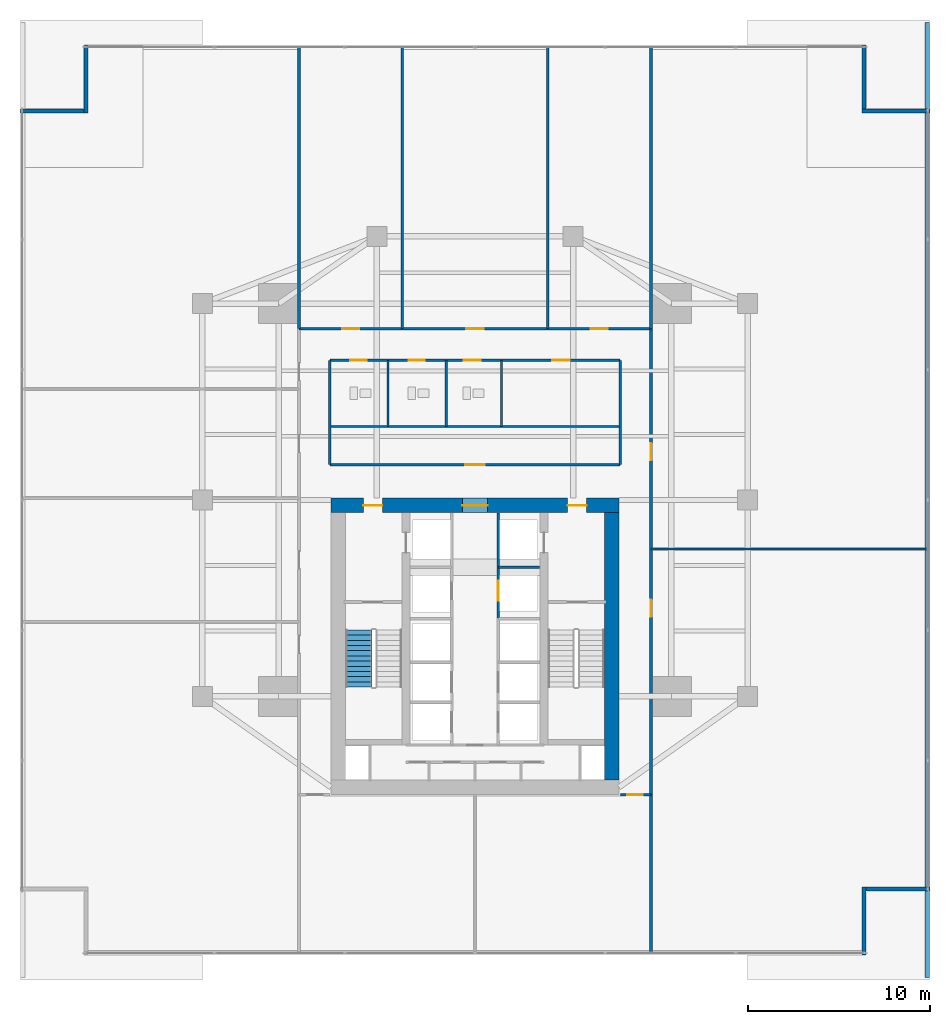
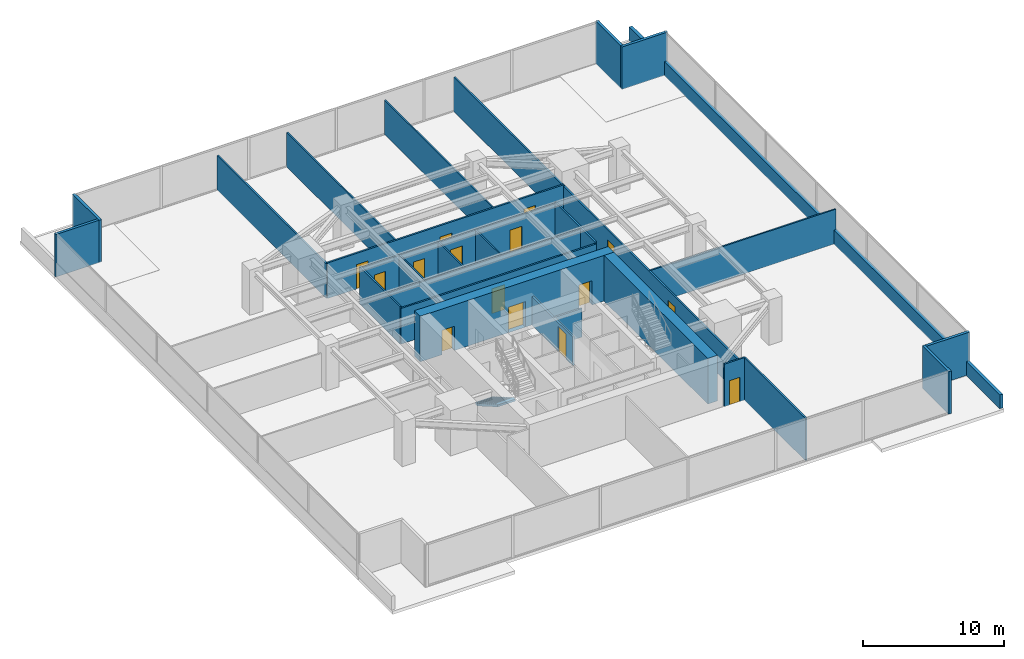
# One storey, part 26 of 30: 28 walls, 15 doors, 1 stair flight, 15 openings, 1 element without a shape of its own.
"""IFC4 building model written with IfcOpenShell, lengths in metres."""

from ifc_helpers import new_model, si_unit, direction, frame, frame_2d, origin, place, context, subcontext, project, spatial, polyline, rectangle, outline, extrude, material, layer, layer_set, type_object, element, fill, aggregate, save


model = new_model("IFC4")

# Units and contexts
model_context = context("Model", 3, precision=1e-05, world=origin(), true_north=direction((0.0, 1.0)))
body_context = subcontext(model_context, "Body", "Model", "MODEL_VIEW")
ifc_project = project(units=[si_unit("LENGTHUNIT", "METRE"), si_unit("AREAUNIT", "SQUARE_METRE"), si_unit("VOLUMEUNIT", "CUBIC_METRE"), si_unit("PLANEANGLEUNIT", "RADIAN"), si_unit("MASSUNIT", "GRAM", prefix="KILO")], contexts=[model_context])

# Site, building, storey
site_placement = place(None, origin())
site = spatial("IfcSite", under=ifc_project, at=site_placement, CompositionType="ELEMENT")
building_placement = place(site_placement, origin())
building = spatial("IfcBuilding", under=site, at=building_placement, Name="Krantzveldt Concourse Tower", CompositionType="ELEMENT")
storey_placement = place(building_placement, frame((0.0, 0.0, 25.0)))
storey = spatial("IfcBuildingStorey", under=building, at=storey_placement, Name="L05", CompositionType="ELEMENT", Elevation=25.0)

# Walls
ifc_material_1 = material(Name="Anodised aluminium 6063-T6", Category="aluminium")
ifc_layer_1 = layer(ifc_material_1, 0.219970703125, Name="Anodised aluminium 6063-T6", Category="aluminium")
ifc_layer_set_1 = layer_set([ifc_layer_1], Name="Anodised aluminium 6063-T6 (WL-EXT-NOTCH220)")
wall_type_1 = type_object("IfcWallType", Name="WL-EXT-NOTCH220", PredefinedType="ELEMENTEDWALL", material=ifc_layer_set_1)
wall_1_placement = place(storey_placement, frame((14.5, 48.090087890625, 0.0), z_axis=(0.0, 0.0, 1.0), x_axis=(-1.0, 0.0, 0.0)))
element("IfcWall", 1, at=wall_1_placement, inside=storey, type_object=wall_type_1, Name="EW-L05-NCH00", PredefinedType="ELEMENTEDWALL", context=body_context, shape_type="SweptSolid", body=[
    extrude(rectangle(XDim=3.52490234375, YDim=0.219970703125, at=frame_2d((1.762451171875, 0.0))), origin(), (0.0, 0.0, 1.0), 3.669921875),
])
wall_2_placement = place(storey_placement, frame((57.389892578125, 1.675048828125, 0.0), z_axis=(0.0, 0.0, 1.0), x_axis=(0.0, 1.0, 0.0)))
element("IfcWall", 2, at=wall_2_placement, inside=storey, type_object=wall_type_1, Name="EW-L05-NCH05", PredefinedType="ELEMENTEDWALL", context=body_context, shape_type="SweptSolid", body=[
    extrude(rectangle(XDim=3.744873046875, YDim=0.219970703125, at=frame_2d((1.87255859375, 0.0))), origin(), (0.0, 0.0, 1.0), 3.669921875),
])
wall_3_placement = place(storey_placement, frame((57.5, 5.31005859375, 0.0), z_axis=(0.0, 0.0, 1.0), x_axis=(1.0, 0.0, 0.0)))
element("IfcWall", 3, at=wall_3_placement, inside=storey, type_object=wall_type_1, Name="EW-L05-NCH06", PredefinedType="ELEMENTEDWALL", context=body_context, shape_type="SweptSolid", body=[
    extrude(rectangle(XDim=3.52490234375, YDim=0.219970703125, at=frame_2d((1.762451171875, 0.0))), origin(), (0.0, 0.0, 1.0), 3.669921875),
])
wall_4_placement = place(storey_placement, frame((61.02490234375, 48.090087890625, 0.0), z_axis=(0.0, 0.0, 1.0), x_axis=(-1.0, 0.0, 0.0)))
element("IfcWall", 4, at=wall_4_placement, inside=storey, type_object=wall_type_1, Name="EW-L05-NCH08", PredefinedType="ELEMENTEDWALL", context=body_context, shape_type="SweptSolid", body=[
    extrude(rectangle(XDim=3.744873046875, YDim=0.219970703125, at=frame_2d((1.87255859375, 0.0))), origin(), (0.0, 0.0, 1.0), 3.669921875),
])
wall_5_placement = place(storey_placement, frame((57.389892578125, 48.199951171875, 0.0), z_axis=(0.0, 0.0, 1.0), x_axis=(0.0, 1.0, 0.0)))
element("IfcWall", 5, at=wall_5_placement, inside=storey, type_object=wall_type_1, Name="EW-L05-NCH09", PredefinedType="ELEMENTEDWALL", context=body_context, shape_type="SweptSolid", body=[
    extrude(rectangle(XDim=3.525146484375, YDim=0.219970703125, at=frame_2d((1.7626953125, 0.0))), origin(), (0.0, 0.0, 1.0), 3.669921875),
])
wall_6_placement = place(storey_placement, frame((14.610107421875, 51.72509765625, 0.0), z_axis=(0.0, 0.0, 1.0), x_axis=(0.0, -1.0, 0.0)))
element("IfcWall", 6, at=wall_6_placement, inside=storey, type_object=wall_type_1, Name="EW-L05-NCH11", PredefinedType="ELEMENTEDWALL", context=body_context, shape_type="SweptSolid", body=[
    extrude(rectangle(XDim=3.7451171875, YDim=0.219970703125, at=frame_2d((1.87255859375, 0.0))), origin(), (0.0, 0.0, 1.0), 3.669921875),
])
ifc_material_2 = material(Name="Precast concrete C40/50", Category="concrete")
ifc_layer_2 = layer(ifc_material_2, 0.25, Name="Precast concrete C40/50", Category="concrete")
ifc_layer_set_2 = layer_set([ifc_layer_2], Name="Precast concrete C40/50 (WL-PARAPET-250)")
wall_type_2 = type_object("IfcWallType", Name="WL-PARAPET-250", PredefinedType="PARAPET", material=ifc_layer_set_2)
wall_7_placement = place(storey_placement, frame((60.8701171875, 0.449951171875, 0.0), z_axis=(0.0, 0.0, 1.0), x_axis=(0.0, 1.0, 0.0)))
element("IfcWall", 7, at=wall_7_placement, inside=storey, type_object=wall_type_2, Name="WL-L05-PAR-E", PredefinedType="PARAPET", context=body_context, shape_type="SweptSolid", body=[
    extrude(rectangle(XDim=52.5, YDim=0.25, at=frame_2d((26.25, 0.0))), origin(), (0.0, 0.0, 1.0), 1.199951171875),
])
ifc_material_3 = material(Name="Fire-rated gypsum plasterboard on steel stud", Category="steel")
ifc_layer_3 = layer(ifc_material_3, 0.1201171875, Name="Fire-rated gypsum plasterboard on steel stud", Category="steel")
ifc_layer_set_3 = layer_set([ifc_layer_3], Name="Fire-rated gypsum plasterboard on steel stud (WL-PART-120)")
wall_type_3 = type_object("IfcWallType", Name="WL-PART-120", PredefinedType="PARTITIONING", material=ifc_layer_set_3)
wall_8_placement = place(storey_placement, frame((28.02001953125, 30.739990234375, 0.0), z_axis=(0.0, 0.0, 1.0), x_axis=(1.0, 0.0, 0.0)))
element("IfcWall", 8, at=wall_8_placement, inside=storey, type_object=wall_type_3, Name="WP-L05-ISLM", PredefinedType="PARTITIONING", context=body_context, shape_type="SweptSolid", body=[
    extrude(rectangle(XDim=15.9599609375, YDim=0.1201171875, at=frame_2d((7.97998046875, 0.0))), origin(), (0.0, 0.0, 1.0), 3.080078125),
])
for number, where, z_axis, x_axis, name in (
    (9, (31.219970703125, 30.739990234375, 0.0), (0.0, 0.0, 1.0), (0.0, 1.0, 0.0), "WP-L05-WCD1"),
    (10, (34.419921875, 30.739990234375, 0.0), (0.0, 0.0, 1.0), (0.0, 1.0, 0.0), "WP-L05-WCD2"),
    (11, (37.449951171875, 30.739990234375, 0.0), (0.0, 0.0, 1.0), (0.0, 1.0, 0.0), "WP-L05-WCD3"),
):
    element("IfcWall", number, at=place(storey_placement, frame(where, z_axis=z_axis, x_axis=x_axis)), inside=storey, type_object=wall_type_3, Name=name, PredefinedType="PARTITIONING", context=body_context, shape_type="SweptSolid", body=[
        extrude(rectangle(XDim=3.639892578125, YDim=0.1201171875, at=frame_2d((1.81982421875, 0.0))), origin(), (0.0, 0.0, 1.0), 3.1201171875),
    ])
for number, where, z_axis, x_axis, name in (
    (12, (32.0, 36.1201171875, 0.0), (0.0, 0.0, 1.0), (0.0, 1.0, 0.0), "WP-L05-ND1"),
    (13, (40.0, 36.1201171875, 0.0), (0.0, 0.0, 1.0), (0.0, 1.0, 0.0), "WP-L05-ND2"),
):
    element("IfcWall", number, at=place(storey_placement, frame(where, z_axis=z_axis, x_axis=x_axis)), inside=storey, type_object=wall_type_3, Name=name, PredefinedType="PARTITIONING", context=body_context, shape_type="SweptSolid", body=[
        extrude(rectangle(XDim=15.489990234375, YDim=0.1201171875, at=frame_2d((7.7451171875, 0.0))), origin(), (0.0, 0.0, 1.0), 2.969970703125),
    ])
wall_9_placement = place(storey_placement, frame((45.679931640625, 24.0, 0.0), z_axis=(0.0, 0.0, 1.0), x_axis=(1.0, 0.0, 0.0)))
element("IfcWall", 14, at=wall_9_placement, inside=storey, type_object=wall_type_3, Name="WP-L05-ED1", PredefinedType="PARTITIONING", context=body_context, shape_type="SweptSolid", body=[
    extrude(rectangle(XDim=15.22998046875, YDim=0.1201171875, at=frame_2d((7.614990234375, 0.0))), origin(), (0.0, 0.0, 1.0), 2.969970703125),
])

# Wall, opening, door
ifc_layer_4 = layer(ifc_material_3, 0.139892578125, Name="Fire-rated gypsum plasterboard on steel stud", Category="steel")
ifc_layer_set_4 = layer_set([ifc_layer_4], Name="Fire-rated gypsum plasterboard on steel stud (WL-PART-140)")
wall_type_4 = type_object("IfcWallType", Name="WL-PART-140", PredefinedType="PARTITIONING", material=ifc_layer_set_4)
wall_10_placement = place(storey_placement, frame((28.02001953125, 28.639892578125, 0.0), z_axis=(0.0, 0.0, 1.0), x_axis=(1.0, 0.0, 0.0)))
wall_10 = element("IfcWall", 15, at=wall_10_placement, inside=storey, type_object=wall_type_4, Name="WP-L05-ISLS", PredefinedType="PARTITIONING", context=body_context, shape_type="SweptSolid", body=[
    extrude(rectangle(XDim=15.9599609375, YDim=0.139892578125, at=frame_2d((7.97998046875, 0.0))), origin(), (0.0, 0.0, 1.0), 3.080078125),
])
opening_1_placement = place(wall_10_placement, frame((7.455078125, 0.0, 0.0)))
opening_1 = element("IfcOpeningElement", 16, at=opening_1_placement, cuts=wall_10, Name="Opening D-IN105", PredefinedType="OPENING", context=body_context, shape_type="SweptSolid", body=[
    extrude(rectangle(XDim=1.050048828125, YDim=2.14990234375, at=frame_2d((0.52490234375, 1.074951171875))), frame((0.0, 0.080078125, 0.0), z_axis=(0.0, -1.0, 0.0), x_axis=(1.0, 0.0, 0.0)), (0.0, 0.0, 1.0), 0.159912109375),
])
ifc_material_4 = material(Name="Hardwood timber", Category="wood")
door_type_1 = type_object("IfcDoorType", Name="DR-INT-1050", OperationType="SINGLE_SWING_LEFT", PredefinedType="DOOR", material=ifc_material_4)
door_1_placement = place(opening_1_placement, origin())
door_1 = element("IfcDoor", 17, at=door_1_placement, inside=storey, type_object=door_type_1, Name="DR-L05-MIDB", OperationType="SINGLE_SWING_LEFT", OverallHeight=2.14990234375, OverallWidth=1.050048828125, PredefinedType="DOOR", context=body_context, shape_type="SweptSolid", body=[
    extrude(rectangle(XDim=1.050048828125, YDim=2.14990234375, at=frame_2d((0.52490234375, 1.074951171875))), frame((0.0, 0.02490234375, 0.0), z_axis=(0.0, -1.0, 0.0), x_axis=(1.0, 0.0, 0.0)), (0.0, 0.0, 1.0), 0.050048828125),
])
fill(opening_1, door_1)

# Wall, openings, doors
wall_11_placement = place(storey_placement, frame((28.02001953125, 34.3798828125, 0.0), z_axis=(0.0, 0.0, 1.0), x_axis=(1.0, 0.0, 0.0)))
wall_11 = element("IfcWall", 18, at=wall_11_placement, inside=storey, type_object=wall_type_4, Name="WP-L05-ISLN", PredefinedType="PARTITIONING", context=body_context, shape_type="SweptSolid", body=[
    extrude(rectangle(XDim=15.9599609375, YDim=0.139892578125, at=frame_2d((7.97998046875, 0.0))), origin(), (0.0, 0.0, 1.0), 3.080078125),
])
opening_2_placement = place(wall_11_placement, frame((1.1298828125, 0.0, 0.0)))
opening_2 = element("IfcOpeningElement", 19, at=opening_2_placement, cuts=wall_11, Name="Opening D-IN090", PredefinedType="OPENING", context=body_context, shape_type="SweptSolid", body=[
    extrude(rectangle(XDim=0.89990234375, YDim=2.10009765625, at=frame_2d((0.449951171875, 1.050048828125))), frame((0.0, 0.080078125, 0.0), z_axis=(0.0, -1.0, 0.0), x_axis=(1.0, 0.0, 0.0)), (0.0, 0.0, 1.0), 0.159912109375),
])
opening_3_placement = place(wall_11_placement, frame((4.330078125, 0.0, 0.0)))
opening_3 = element("IfcOpeningElement", 20, at=opening_3_placement, cuts=wall_11, Name="Opening D-IN090", PredefinedType="OPENING", context=body_context, shape_type="SweptSolid", body=[
    extrude(rectangle(XDim=0.89990234375, YDim=2.10009765625, at=frame_2d((0.449951171875, 1.050048828125))), frame((0.0, 0.080078125, 0.0), z_axis=(0.0, -1.0, 0.0), x_axis=(1.0, 0.0, 0.0)), (0.0, 0.0, 1.0), 0.159912109375),
])
opening_4_placement = place(wall_11_placement, frame((7.35498046875, 0.0, 0.0)))
opening_4 = element("IfcOpeningElement", 21, at=opening_4_placement, cuts=wall_11, Name="Opening D-IN095", PredefinedType="OPENING", context=body_context, shape_type="SweptSolid", body=[
    extrude(rectangle(XDim=0.949951171875, YDim=2.10009765625, at=frame_2d((0.47509765625, 1.050048828125))), frame((0.0, 0.080078125, 0.0), z_axis=(0.0, -1.0, 0.0), x_axis=(1.0, 0.0, 0.0)), (0.0, 0.0, 1.0), 0.159912109375),
])
opening_5_placement = place(wall_11_placement, frame((12.22998046875, 0.0, 0.0)))
opening_5 = element("IfcOpeningElement", 22, at=opening_5_placement, cuts=wall_11, Name="Opening D-IN095", PredefinedType="OPENING", context=body_context, shape_type="SweptSolid", body=[
    extrude(rectangle(XDim=0.949951171875, YDim=2.10009765625, at=frame_2d((0.47509765625, 1.050048828125))), frame((0.0, 0.080078125, 0.0), z_axis=(0.0, -1.0, 0.0), x_axis=(1.0, 0.0, 0.0)), (0.0, 0.0, 1.0), 0.159912109375),
])
door_type_2 = type_object("IfcDoorType", Name="DR-INT-900", OperationType="SINGLE_SWING_LEFT", PredefinedType="DOOR", material=ifc_material_4)
door_2_placement = place(opening_2_placement, origin())
door_2 = element("IfcDoor", 23, at=door_2_placement, inside=storey, type_object=door_type_2, Name="DR-L05-WCM", OperationType="SINGLE_SWING_LEFT", OverallHeight=2.10009765625, OverallWidth=0.89990234375, PredefinedType="DOOR", context=body_context, shape_type="SweptSolid", body=[
    extrude(rectangle(XDim=0.89990234375, YDim=2.10009765625, at=frame_2d((0.449951171875, 1.050048828125))), frame((0.0, 0.02490234375, 0.0), z_axis=(0.0, -1.0, 0.0), x_axis=(1.0, 0.0, 0.0)), (0.0, 0.0, 1.0), 0.050048828125),
])
fill(opening_2, door_2)
door_3_placement = place(opening_3_placement, origin())
door_3 = element("IfcDoor", 24, at=door_3_placement, inside=storey, type_object=door_type_2, Name="DR-L05-WCF", OperationType="SINGLE_SWING_RIGHT", OverallHeight=2.10009765625, OverallWidth=0.89990234375, PredefinedType="DOOR", context=body_context, shape_type="SweptSolid", body=[
    extrude(rectangle(XDim=0.89990234375, YDim=2.10009765625, at=frame_2d((0.449951171875, 1.050048828125))), frame((0.0, 0.02490234375, 0.0), z_axis=(0.0, -1.0, 0.0), x_axis=(1.0, 0.0, 0.0)), (0.0, 0.0, 1.0), 0.050048828125),
])
fill(opening_3, door_3)
door_type_3 = type_object("IfcDoorType", Name="DR-INT-950", OperationType="SINGLE_SWING_LEFT", PredefinedType="DOOR", material=ifc_material_4)
door_4_placement = place(opening_4_placement, origin())
door_4 = element("IfcDoor", 25, at=door_4_placement, inside=storey, type_object=door_type_3, Name="DR-L05-WCA", OperationType="SINGLE_SWING_LEFT", OverallHeight=2.10009765625, OverallWidth=0.949951171875, PredefinedType="DOOR", context=body_context, shape_type="SweptSolid", body=[
    extrude(rectangle(XDim=0.949951171875, YDim=2.10009765625, at=frame_2d((0.47509765625, 1.050048828125))), frame((0.0, 0.02490234375, 0.0), z_axis=(0.0, -1.0, 0.0), x_axis=(1.0, 0.0, 0.0)), (0.0, 0.0, 1.0), 0.050048828125),
])
fill(opening_4, door_4)
door_5_placement = place(opening_5_placement, origin())
door_5 = element("IfcDoor", 26, at=door_5_placement, inside=storey, type_object=door_type_3, Name="DR-L05-PNT", OperationType="SINGLE_SWING_RIGHT", OverallHeight=2.10009765625, OverallWidth=0.949951171875, PredefinedType="DOOR", context=body_context, shape_type="SweptSolid", body=[
    extrude(rectangle(XDim=0.949951171875, YDim=2.10009765625, at=frame_2d((0.47509765625, 1.050048828125))), frame((0.0, 0.02490234375, 0.0), z_axis=(0.0, -1.0, 0.0), x_axis=(1.0, 0.0, 0.0)), (0.0, 0.0, 1.0), 0.050048828125),
])
fill(opening_5, door_5)

# Walls
for number, where, z_axis, x_axis, name in (
    (27, (28.02001953125, 28.639892578125, 0.0), (0.0, 0.0, 1.0), (0.0, 1.0, 0.0), "WP-L05-ISLW"),
    (28, (43.97998046875, 28.639892578125, 0.0), (0.0, 0.0, 1.0), (0.0, 1.0, 0.0), "WP-L05-ISLE"),
):
    element("IfcWall", number, at=place(storey_placement, frame(where, z_axis=z_axis, x_axis=x_axis)), inside=storey, type_object=wall_type_4, Name=name, PredefinedType="PARTITIONING", context=body_context, shape_type="SweptSolid", body=[
        extrude(rectangle(XDim=5.739990234375, YDim=0.139892578125, at=frame_2d((2.8701171875, 0.0))), origin(), (0.0, 0.0, 1.0), 3.219970703125),
    ])

# Wall, openings, doors
wall_12_placement = place(storey_placement, frame((26.320068359375, 36.1201171875, 0.0), z_axis=(0.0, 0.0, 1.0), x_axis=(1.0, 0.0, 0.0)))
wall_12 = element("IfcWall", 29, at=wall_12_placement, inside=storey, type_object=wall_type_4, Name="WP-L05-CTOP", PredefinedType="PARTITIONING", context=body_context, shape_type="SweptSolid", body=[
    extrude(rectangle(XDim=19.35986328125, YDim=0.139892578125, at=frame_2d((9.679931640625, 0.0))), origin(), (0.0, 0.0, 1.0), 3.080078125),
])
opening_6_placement = place(wall_12_placement, frame((2.364990234375, 0.0, 0.0)))
opening_6 = element("IfcOpeningElement", 30, at=opening_6_placement, cuts=wall_12, Name="Opening D-IN095", PredefinedType="OPENING", context=body_context, shape_type="SweptSolid", body=[
    extrude(rectangle(XDim=0.949951171875, YDim=2.10009765625, at=frame_2d((0.47509765625, 1.050048828125))), frame((0.0, 0.080078125, 0.0), z_axis=(0.0, -1.0, 0.0), x_axis=(1.0, 0.0, 0.0)), (0.0, 0.0, 1.0), 0.159912109375),
])
opening_7_placement = place(wall_12_placement, frame((9.205078125, 0.0, 0.0)))
opening_7 = element("IfcOpeningElement", 31, at=opening_7_placement, cuts=wall_12, Name="Opening D-IN095", PredefinedType="OPENING", context=body_context, shape_type="SweptSolid", body=[
    extrude(rectangle(XDim=0.949951171875, YDim=2.10009765625, at=frame_2d((0.47509765625, 1.050048828125))), frame((0.0, 0.080078125, 0.0), z_axis=(0.0, -1.0, 0.0), x_axis=(1.0, 0.0, 0.0)), (0.0, 0.0, 1.0), 0.159912109375),
])
opening_8_placement = place(wall_12_placement, frame((16.044921875, 0.0, 0.0)))
opening_8 = element("IfcOpeningElement", 32, at=opening_8_placement, cuts=wall_12, Name="Opening D-IN095", PredefinedType="OPENING", context=body_context, shape_type="SweptSolid", body=[
    extrude(rectangle(XDim=0.949951171875, YDim=2.10009765625, at=frame_2d((0.47509765625, 1.050048828125))), frame((0.0, 0.080078125, 0.0), z_axis=(0.0, -1.0, 0.0), x_axis=(1.0, 0.0, 0.0)), (0.0, 0.0, 1.0), 0.159912109375),
])
door_6_placement = place(opening_6_placement, origin())
door_6 = element("IfcDoor", 33, at=door_6_placement, inside=storey, type_object=door_type_3, Name="DR-L05-NR1", OperationType="SINGLE_SWING_LEFT", OverallHeight=2.10009765625, OverallWidth=0.949951171875, PredefinedType="DOOR", context=body_context, shape_type="SweptSolid", body=[
    extrude(rectangle(XDim=0.949951171875, YDim=2.10009765625, at=frame_2d((0.47509765625, 1.050048828125))), frame((0.0, 0.02490234375, 0.0), z_axis=(0.0, -1.0, 0.0), x_axis=(1.0, 0.0, 0.0)), (0.0, 0.0, 1.0), 0.050048828125),
])
fill(opening_6, door_6)
door_7_placement = place(opening_7_placement, origin())
door_7 = element("IfcDoor", 34, at=door_7_placement, inside=storey, type_object=door_type_3, Name="DR-L05-NR2", OperationType="SINGLE_SWING_LEFT", OverallHeight=2.10009765625, OverallWidth=0.949951171875, PredefinedType="DOOR", context=body_context, shape_type="SweptSolid", body=[
    extrude(rectangle(XDim=0.949951171875, YDim=2.10009765625, at=frame_2d((0.47509765625, 1.050048828125))), frame((0.0, 0.02490234375, 0.0), z_axis=(0.0, -1.0, 0.0), x_axis=(1.0, 0.0, 0.0)), (0.0, 0.0, 1.0), 0.050048828125),
])
fill(opening_7, door_7)
door_8_placement = place(opening_8_placement, origin())
door_8 = element("IfcDoor", 35, at=door_8_placement, inside=storey, type_object=door_type_3, Name="DR-L05-NR3", OperationType="SINGLE_SWING_LEFT", OverallHeight=2.10009765625, OverallWidth=0.949951171875, PredefinedType="DOOR", context=body_context, shape_type="SweptSolid", body=[
    extrude(rectangle(XDim=0.949951171875, YDim=2.10009765625, at=frame_2d((0.47509765625, 1.050048828125))), frame((0.0, 0.02490234375, 0.0), z_axis=(0.0, -1.0, 0.0), x_axis=(1.0, 0.0, 0.0)), (0.0, 0.0, 1.0), 0.050048828125),
])
fill(opening_8, door_8)

wall_13_placement = place(storey_placement, frame((45.679931640625, 10.5, 0.0), z_axis=(0.0, 0.0, 1.0), x_axis=(0.0, 1.0, 0.0)))
wall_13 = element("IfcWall", 36, at=wall_13_placement, inside=storey, type_object=wall_type_4, Name="WP-L05-CEAST", PredefinedType="PARTITIONING", context=body_context, shape_type="SweptSolid", body=[
    extrude(rectangle(XDim=25.6201171875, YDim=0.139892578125, at=frame_2d((12.81005859375, 0.0))), origin(), (0.0, 0.0, 1.0), 2.969970703125),
])
opening_9_placement = place(wall_13_placement, frame((9.77490234375, 0.0, 0.0)))
opening_9 = element("IfcOpeningElement", 37, at=opening_9_placement, cuts=wall_13, Name="Opening D-IN095", PredefinedType="OPENING", context=body_context, shape_type="SweptSolid", body=[
    extrude(rectangle(XDim=0.949951171875, YDim=2.10009765625, at=frame_2d((0.47509765625, 1.050048828125))), frame((0.0, 0.080078125, 0.0), z_axis=(0.0, -1.0, 0.0), x_axis=(1.0, 0.0, 0.0)), (0.0, 0.0, 1.0), 0.159912109375),
])
opening_10_placement = place(wall_13_placement, frame((18.375, 0.0, 0.0)))
opening_10 = element("IfcOpeningElement", 38, at=opening_10_placement, cuts=wall_13, Name="Opening D-IN095", PredefinedType="OPENING", context=body_context, shape_type="SweptSolid", body=[
    extrude(rectangle(XDim=0.949951171875, YDim=2.10009765625, at=frame_2d((0.47509765625, 1.050048828125))), frame((0.0, 0.080078125, 0.0), z_axis=(0.0, -1.0, 0.0), x_axis=(1.0, 0.0, 0.0)), (0.0, 0.0, 1.0), 0.159912109375),
])
door_9_placement = place(opening_9_placement, origin())
door_9 = element("IfcDoor", 39, at=door_9_placement, inside=storey, type_object=door_type_3, Name="DR-L05-ER1", OperationType="SINGLE_SWING_LEFT", OverallHeight=2.10009765625, OverallWidth=0.949951171875, PredefinedType="DOOR", context=body_context, shape_type="SweptSolid", body=[
    extrude(rectangle(XDim=0.949951171875, YDim=2.10009765625, at=frame_2d((0.47509765625, 1.050048828125))), frame((0.0, 0.02490234375, 0.0), z_axis=(0.0, -1.0, 0.0), x_axis=(1.0, 0.0, 0.0)), (0.0, 0.0, 1.0), 0.050048828125),
])
fill(opening_9, door_9)
door_10_placement = place(opening_10_placement, origin())
door_10 = element("IfcDoor", 40, at=door_10_placement, inside=storey, type_object=door_type_3, Name="DR-L05-ER2", OperationType="SINGLE_SWING_LEFT", OverallHeight=2.10009765625, OverallWidth=0.949951171875, PredefinedType="DOOR", context=body_context, shape_type="SweptSolid", body=[
    extrude(rectangle(XDim=0.949951171875, YDim=2.10009765625, at=frame_2d((0.47509765625, 1.050048828125))), frame((0.0, 0.02490234375, 0.0), z_axis=(0.0, -1.0, 0.0), x_axis=(1.0, 0.0, 0.0)), (0.0, 0.0, 1.0), 0.050048828125),
])
fill(opening_10, door_10)

# Wall, opening, door
wall_14_placement = place(storey_placement, frame((44.0, 10.5, 0.0), z_axis=(0.0, 0.0, 1.0), x_axis=(1.0, 0.0, 0.0)))
wall_14 = element("IfcWall", 41, at=wall_14_placement, inside=storey, type_object=wall_type_4, Name="WP-L05-CEBOT", PredefinedType="PARTITIONING", context=body_context, shape_type="SweptSolid", body=[
    extrude(rectangle(XDim=1.679931640625, YDim=0.139892578125, at=frame_2d((0.83984375, 0.0))), origin(), (0.0, 0.0, 1.0), 3.669921875),
])
opening_11_placement = place(wall_14_placement, frame((0.385009765625, 0.0, 0.0)))
opening_11 = element("IfcOpeningElement", 42, at=opening_11_placement, cuts=wall_14, Name="Opening D-IN085", PredefinedType="OPENING", context=body_context, shape_type="SweptSolid", body=[
    extrude(rectangle(XDim=0.85009765625, YDim=2.10009765625, at=frame_2d((0.425048828125, 1.050048828125))), frame((0.0, 0.080078125, 0.0), z_axis=(0.0, -1.0, 0.0), x_axis=(1.0, 0.0, 0.0)), (0.0, 0.0, 1.0), 0.159912109375),
])
door_type_4 = type_object("IfcDoorType", Name="DR-INT-850", OperationType="SINGLE_SWING_LEFT", PredefinedType="DOOR", material=ifc_material_4)
door_11_placement = place(opening_11_placement, origin())
door_11 = element("IfcDoor", 43, at=door_11_placement, inside=storey, type_object=door_type_4, Name="DR-L05-SR2", OperationType="SINGLE_SWING_LEFT", OverallHeight=2.10009765625, OverallWidth=0.85009765625, PredefinedType="DOOR", context=body_context, shape_type="SweptSolid", body=[
    extrude(rectangle(XDim=0.85009765625, YDim=2.10009765625, at=frame_2d((0.425048828125, 1.050048828125))), frame((0.0, 0.02490234375, 0.0), z_axis=(0.0, -1.0, 0.0), x_axis=(1.0, 0.0, 0.0)), (0.0, 0.0, 1.0), 0.050048828125),
])
fill(opening_11, door_11)

# Walls
for number, where, z_axis, x_axis, name in (
    (44, (26.320068359375, 36.1201171875, 0.0), (0.0, 0.0, 1.0), (0.0, 1.0, 0.0), "WP-L05-NWL"),
    (45, (45.679931640625, 36.1201171875, 0.0), (0.0, 0.0, 1.0), (0.0, 1.0, 0.0), "WP-L05-NER"),
):
    element("IfcWall", number, at=place(storey_placement, frame(where, z_axis=z_axis, x_axis=x_axis)), inside=storey, type_object=wall_type_4, Name=name, PredefinedType="PARTITIONING", context=body_context, shape_type="SweptSolid", body=[
        extrude(rectangle(XDim=15.489990234375, YDim=0.139892578125, at=frame_2d((7.7451171875, 0.0))), origin(), (0.0, 0.0, 1.0), 2.969970703125),
    ])
wall_15_placement = place(storey_placement, frame((45.679931640625, 1.7900390625, 0.0), z_axis=(0.0, 0.0, 1.0), x_axis=(0.0, 1.0, 0.0)))
element("IfcWall", 46, at=wall_15_placement, inside=storey, type_object=wall_type_4, Name="WP-L05-SER", PredefinedType="PARTITIONING", context=body_context, shape_type="SweptSolid", body=[
    extrude(rectangle(XDim=8.7099609375, YDim=0.139892578125, at=frame_2d((4.35498046875, 0.0))), origin(), (0.0, 0.0, 1.0), 3.669921875),
])

# Wall, opening, door
ifc_layer_5 = layer(ifc_material_3, 0.139892578125, Name="Fire-rated gypsum plasterboard on steel stud", Category="steel")
ifc_layer_set_5 = layer_set([ifc_layer_5], Name="Fire-rated gypsum plasterboard on steel stud (WL-PART-FR140)")
wall_type_5 = type_object("IfcWallType", Name="WL-PART-FR140", PredefinedType="PARTITIONING", material=ifc_layer_set_5)
wall_16_placement = place(storey_placement, frame((37.280029296875, 20.199951171875, 0.0), z_axis=(0.0, 0.0, 1.0), x_axis=(0.0, 1.0, 0.0)))
wall_16 = element("IfcWall", 47, at=wall_16_placement, inside=storey, type_object=wall_type_5, Name="WP-L05-SHNE", PredefinedType="PARTITIONING", context=body_context, shape_type="SweptSolid", body=[
    extrude(rectangle(XDim=5.780029296875, YDim=0.139892578125, at=frame_2d((2.89013671875, 0.0))), origin(), (0.0, 0.0, 1.0), 2.469970703125),
])
opening_12_placement = place(wall_16_placement, frame((0.949951171875, 0.0, 0.0)))
opening_12 = element("IfcOpeningElement", 48, at=opening_12_placement, cuts=wall_16, Name="Opening LD", PredefinedType="OPENING", context=body_context, shape_type="SweptSolid", body=[
    extrude(rectangle(XDim=1.10009765625, YDim=2.14990234375, at=frame_2d((0.550048828125, 1.074951171875))), frame((0.0, 0.080078125, 0.0), z_axis=(0.0, -1.0, 0.0), x_axis=(1.0, 0.0, 0.0)), (0.0, 0.0, 1.0), 0.159912109375),
])
ifc_material_5 = material(Name="Stainless steel 316L", Category="steel")
door_type_5 = type_object("IfcDoorType", Name="DR-SLIDE-LD1100", OperationType="DOUBLE_DOOR_SLIDING", PredefinedType="DOOR", material=ifc_material_5)
door_12_placement = place(opening_12_placement, origin())
door_12 = element("IfcDoor", 49, at=door_12_placement, inside=storey, type_object=door_type_5, Name="LD-L05-GL1", OperationType="DOUBLE_DOOR_SLIDING", OverallHeight=2.14990234375, OverallWidth=1.10009765625, PredefinedType="DOOR", context=body_context, shape_type="SweptSolid", body=[
    extrude(rectangle(XDim=1.10009765625, YDim=2.14990234375, at=frame_2d((0.550048828125, 1.074951171875))), frame((0.0, 0.02490234375, 0.0), z_axis=(0.0, -1.0, 0.0), x_axis=(1.0, 0.0, 0.0)), (0.0, 0.0, 1.0), 0.050048828125),
])
fill(opening_12, door_12)

# Wall
wall_17_placement = place(storey_placement, frame((37.280029296875, 23.0, 0.0), z_axis=(0.0, 0.0, 1.0), x_axis=(1.0, 0.0, 0.0)))
element("IfcWall", 50, at=wall_17_placement, inside=storey, type_object=wall_type_5, Name="WP-L05-GLH", PredefinedType="PARTITIONING", context=body_context, shape_type="SweptSolid", body=[
    extrude(rectangle(XDim=2.27001953125, YDim=0.139892578125, at=frame_2d((1.135009765625, 0.0))), origin(), (0.0, 0.0, 1.0), 2.469970703125),
])

# Wall, openings, doors
ifc_material_6 = material(Name="Concrete C60/75", Category="concrete")
ifc_layer_6 = layer(ifc_material_6, 0.800048828125, Name="Concrete C60/75", Category="concrete")
ifc_layer_set_6 = layer_set([ifc_layer_6], Name="Concrete C60/75 (WL-SHEAR-800)")
wall_type_6 = type_object("IfcWallType", Name="WL-SHEAR-800", PredefinedType="SHEAR", material=ifc_layer_set_6)
wall_18_placement = place(storey_placement, frame((28.080078125, 26.39990234375, 0.0), z_axis=(0.0, 0.0, 1.0), x_axis=(1.0, 0.0, 0.0)))
wall_18 = element("IfcWall", 51, at=wall_18_placement, inside=storey, type_object=wall_type_6, Name="CW-L05-N", PredefinedType="SHEAR", context=body_context, shape_type="SweptSolid", body=[
    extrude(rectangle(XDim=15.83984375, YDim=0.800048828125, at=frame_2d((7.919921875, 0.0))), origin(), (0.0, 0.0, 1.0), 3.949951171875),
])
opening_13_placement = place(wall_18_placement, frame((7.219970703125, 0.0, 0.0)))
opening_13 = element("IfcOpeningElement", 52, at=opening_13_placement, cuts=wall_18, Name="Opening D-DB140", PredefinedType="OPENING", context=body_context, shape_type="SweptSolid", body=[
    extrude(rectangle(XDim=1.39990234375, YDim=2.199951171875, at=frame_2d((0.699951171875, 1.10009765625))), frame((0.0, 0.41015625, 0.0), z_axis=(0.0, -1.0, 0.0), x_axis=(1.0, 0.0, 0.0)), (0.0, 0.0, 1.0), 0.820068359375),
])
opening_14_placement = place(wall_18_placement, frame((1.77490234375, 0.0, 0.0)))
opening_14 = element("IfcOpeningElement", 53, at=opening_14_placement, cuts=wall_18, Name="Opening D-FD105", PredefinedType="OPENING", context=body_context, shape_type="SweptSolid", body=[
    extrude(rectangle(XDim=1.050048828125, YDim=2.10009765625, at=frame_2d((0.52490234375, 1.050048828125))), frame((0.0, 0.41015625, 0.0), z_axis=(0.0, -1.0, 0.0), x_axis=(1.0, 0.0, 0.0)), (0.0, 0.0, 1.0), 0.820068359375),
])
opening_15_placement = place(wall_18_placement, frame((13.014892578125, 0.0, 0.0)))
opening_15 = element("IfcOpeningElement", 54, at=opening_15_placement, cuts=wall_18, Name="Opening D-FD105", PredefinedType="OPENING", context=body_context, shape_type="SweptSolid", body=[
    extrude(rectangle(XDim=1.050048828125, YDim=2.10009765625, at=frame_2d((0.52490234375, 1.050048828125))), frame((0.0, 0.41015625, 0.0), z_axis=(0.0, -1.0, 0.0), x_axis=(1.0, 0.0, 0.0)), (0.0, 0.0, 1.0), 0.820068359375),
])
door_type_6 = type_object("IfcDoorType", Name="DR-DBL-1400", OperationType="DOUBLE_DOOR_SINGLE_SWING", PredefinedType="DOOR", material=ifc_material_1)
door_13_placement = place(opening_13_placement, origin())
door_13 = element("IfcDoor", 55, at=door_13_placement, inside=storey, type_object=door_type_6, Name="DR-L05-LLB", OperationType="DOUBLE_DOOR_SINGLE_SWING", OverallHeight=2.199951171875, OverallWidth=1.39990234375, PredefinedType="DOOR", context=body_context, shape_type="SweptSolid", body=[
    extrude(rectangle(XDim=1.39990234375, YDim=2.199951171875, at=frame_2d((0.699951171875, 1.10009765625))), frame((0.0, 0.02490234375, 0.0), z_axis=(0.0, -1.0, 0.0), x_axis=(1.0, 0.0, 0.0)), (0.0, 0.0, 1.0), 0.050048828125),
])
fill(opening_13, door_13)
ifc_material_7 = material(Name="Galvanised steel", Category="steel")
door_type_7 = type_object("IfcDoorType", Name="DR-FD120-1050", OperationType="SINGLE_SWING_LEFT", PredefinedType="DOOR", material=ifc_material_7)
door_14_placement = place(opening_14_placement, origin())
door_14 = element("IfcDoor", 56, at=door_14_placement, inside=storey, type_object=door_type_7, Name="DR-L05-FFL1", OperationType="SINGLE_SWING_LEFT", OverallHeight=2.10009765625, OverallWidth=1.050048828125, PredefinedType="DOOR", context=body_context, shape_type="SweptSolid", body=[
    extrude(rectangle(XDim=1.050048828125, YDim=2.10009765625, at=frame_2d((0.52490234375, 1.050048828125))), frame((0.0, 0.02490234375, 0.0), z_axis=(0.0, -1.0, 0.0), x_axis=(1.0, 0.0, 0.0)), (0.0, 0.0, 1.0), 0.050048828125),
])
fill(opening_14, door_14)
door_15_placement = place(opening_15_placement, origin())
door_15 = element("IfcDoor", 57, at=door_15_placement, inside=storey, type_object=door_type_7, Name="DR-L05-FFL2", OperationType="SINGLE_SWING_RIGHT", OverallHeight=2.10009765625, OverallWidth=1.050048828125, PredefinedType="DOOR", context=body_context, shape_type="SweptSolid", body=[
    extrude(rectangle(XDim=1.050048828125, YDim=2.10009765625, at=frame_2d((0.52490234375, 1.050048828125))), frame((0.0, 0.02490234375, 0.0), z_axis=(0.0, -1.0, 0.0), x_axis=(1.0, 0.0, 0.0)), (0.0, 0.0, 1.0), 0.050048828125),
])
fill(opening_15, door_15)

# Wall
wall_19_placement = place(storey_placement, frame((43.52001953125, 11.300048828125, 0.0), z_axis=(0.0, 0.0, 1.0), x_axis=(0.0, 1.0, 0.0)))
element("IfcWall", 58, at=wall_19_placement, inside=storey, type_object=wall_type_6, Name="CW-L05-E", PredefinedType="SHEAR", context=body_context, shape_type="SweptSolid", body=[
    extrude(rectangle(XDim=14.699951171875, YDim=0.800048828125, at=frame_2d((7.35009765625, 0.0))), origin(), (0.0, 0.0, 1.0), 3.949951171875),
])

# Stair, stair flight
stair_type = type_object("IfcStairType", Name="STR-CORE-DOGLEG", PredefinedType="HALF_TURN_STAIR", material=ifc_material_2)
stair_placement = place(storey_placement, origin())
stair = element("IfcStair", 59, at=stair_placement, inside=storey, type_object=stair_type, Name="L05 Protected Escape Stair ST-1", PredefinedType="HALF_TURN_STAIR")
stair_flight_type = type_object("IfcStairFlightType", Name="STF-CORE-1450", PredefinedType="STRAIGHT", material=ifc_material_2)
stair_flight_placement = place(storey_placement, frame((29.60498046875, 19.550048828125, 0.0), z_axis=(0.0, 0.0, 1.0), x_axis=(0.0, -1.0, 0.0)))
stair_flight = element("IfcStairFlight", 60, at=stair_flight_placement, type_object=stair_flight_type, Name="ST-1 flight 1", NumberOfRisers=12, NumberOfTreads=11, PredefinedType="STRAIGHT", RiserHeight=0.164583333, TreadLength=0.285, context=body_context, shape_type="SweptSolid", body=[
    extrude(outline(polyline([(0.0, 0.0), (0.0, 0.16455078125), (0.284912109375, 0.16455078125), (0.284912109375, 0.3291015625), (0.570068359375, 0.3291015625), (0.570068359375, 0.49365234375), (0.85498046875, 0.49365234375), (0.85498046875, 0.658447265625), (1.139892578125, 0.658447265625), (1.139892578125, 0.822998046875), (1.425048828125, 0.822998046875), (1.425048828125, 0.987548828125), (1.7099609375, 0.987548828125), (1.7099609375, 1.152099609375), (1.9951171875, 1.152099609375), (1.9951171875, 1.316650390625), (2.280029296875, 1.316650390625), (2.280029296875, 1.481201171875), (2.56494140625, 1.481201171875), (2.56494140625, 1.645751953125), (2.85009765625, 1.645751953125), (2.85009765625, 1.810302734375), (3.135009765625, 1.810302734375), (3.135009765625, 1.97509765625), (3.135009765625, 1.63720703125), (0.2998046875, 0.0), (0.0, 0.0)])), frame((0.0, 0.72509765625, 0.0), z_axis=(0.0, -1.0, 0.0), x_axis=(1.0, 0.0, 0.0)), (0.0, 0.0, 1.0), 1.449951171875),
])
aggregate(stair, [stair_flight])

save(model, "model.ifc")
